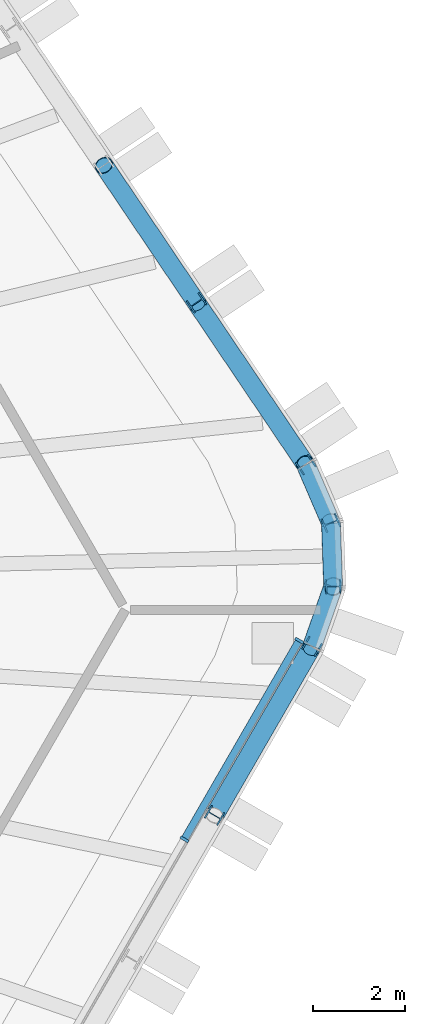
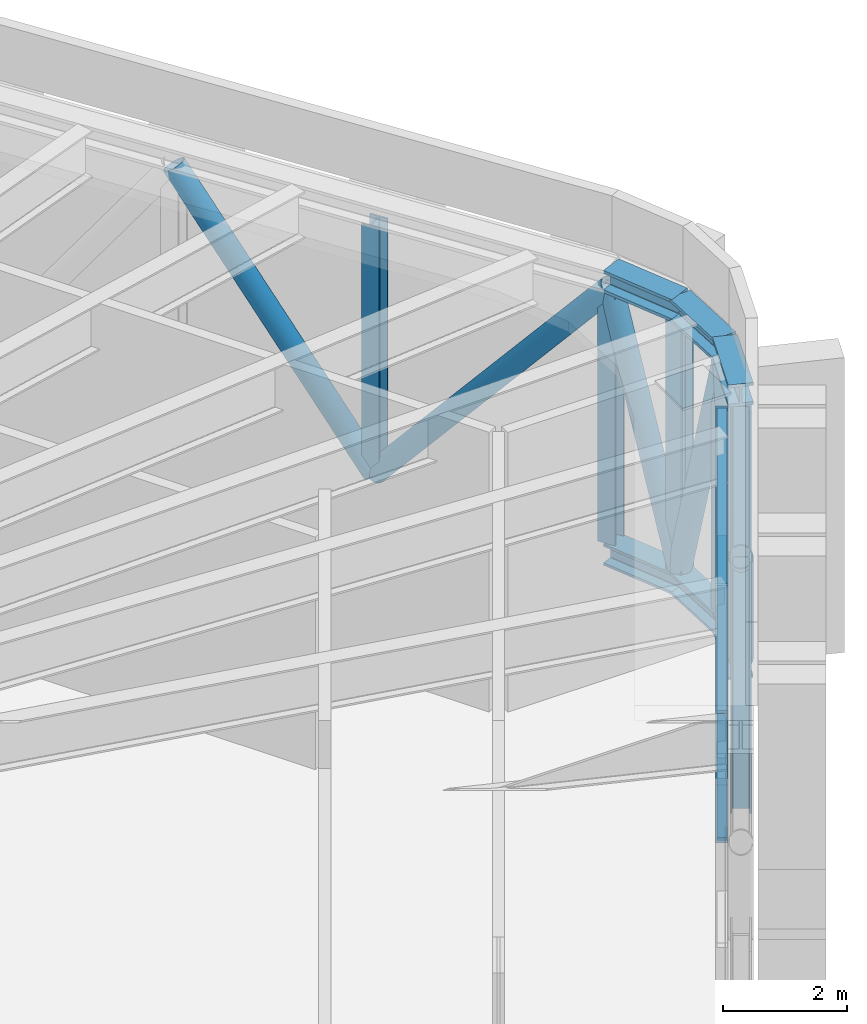
# One storey, part 11 of 27: 23 members, 1 element without a shape of its own.
"""IFC4 building model written with IfcOpenShell, lengths in metres."""

from ifc_helpers import new_model, si_unit, direction, frame, origin, origin_2d, place, context, subcontext, project, spatial, rectangle, hollow_circle, i_section, extrude, material, material_profile, profile_set, type_object, element, aggregate, save


model = new_model("IFC4")

# Units and contexts
model_context = context("Model", 3, precision=1e-05, world=origin(), true_north=direction((0.0, 1.0)))
body_context = subcontext(model_context, "Body", "Model", "MODEL_VIEW")
ifc_project = project(units=[si_unit("LENGTHUNIT", "METRE"), si_unit("AREAUNIT", "SQUARE_METRE"), si_unit("VOLUMEUNIT", "CUBIC_METRE"), si_unit("PLANEANGLEUNIT", "RADIAN"), si_unit("MASSUNIT", "GRAM", prefix="KILO")], contexts=[model_context])

# Site, building, storey
site_placement = place(None, origin())
site = spatial("IfcSite", under=ifc_project, at=site_placement, CompositionType="ELEMENT")
building_placement = place(site_placement, origin())
building = spatial("IfcBuilding", under=site, at=building_placement, Name="Tarnside Tower", CompositionType="ELEMENT")
storey_placement = place(building_placement, frame((0.0, 0.0, 146.699951171875)))
storey = spatial("IfcBuildingStorey", under=building, at=storey_placement, Name="L34", CompositionType="ELEMENT", Elevation=146.699951171875)

# Curtain wall, members
ifc_material_1 = material(Name="Sky lobby glazing wall", Category="glass")
curtain_wall_type = type_object("IfcCurtainWallType", Name="Sky lobby glazing wall", PredefinedType="NOTDEFINED", material=ifc_material_1)
curtain_wall_placement = place(storey_placement, origin())
curtain_wall = element("IfcCurtainWall", 1, at=curtain_wall_placement, inside=storey, type_object=curtain_wall_type, Name="Sky lobby glazing L34 F5", PredefinedType="NOTDEFINED")
ifc_material_2 = material(Name="Aluminium alloy 6063", Category="aluminium")
ifc_material_profile_1 = material_profile(ifc_material_2, rectangle(XDim=0.199951171875, YDim=0.06005859375, at=origin_2d()), Name="Sky lobby glazing mullion 60 x 200")
ifc_profile_set_1 = profile_set([ifc_material_profile_1], Name="Aluminium alloy 6063")
member_type_1 = type_object("IfcMemberType", Name="Sky lobby glazing mullion 60 x 200", PredefinedType="MULLION", material=ifc_profile_set_1)
member_1_placement = place(storey_placement, frame((31.094970703125, -4.97998046875, 0.0), z_axis=(0.0, 0.0, 1.0), x_axis=(-0.866025403793, 0.499999999985, 0.0)))
member_1 = element("IfcMember", 2, at=member_1_placement, type_object=member_type_1, Name="CW4 mullion 6", PredefinedType="MULLION", context=body_context, shape_type="SweptSolid", body=[
    extrude(rectangle(XDim=0.199951171875, YDim=0.06005859375, at=origin_2d()), origin(), (0.0, 0.0, 1.0), 5.0634765625),
])
member_2_placement = place(storey_placement, frame((33.5859375, -0.66552734375, 0.0), z_axis=(0.0, 0.0, 1.0), x_axis=(-0.866025403793, 0.499999999985, 0.0)))
member_2 = element("IfcMember", 3, at=member_2_placement, type_object=member_type_1, Name="CW4 mullion 7", PredefinedType="MULLION", context=body_context, shape_type="SweptSolid", body=[
    extrude(rectangle(XDim=0.199951171875, YDim=0.06005859375, at=origin_2d()), origin(), (0.0, 0.0, 1.0), 5.0634765625),
])
ifc_material_profile_2 = material_profile(ifc_material_2, rectangle(XDim=0.159912109375, YDim=0.06005859375, at=origin_2d()), Name="Sky lobby glazing transom 60 x 160")
ifc_profile_set_2 = profile_set([ifc_material_profile_2], Name="Aluminium alloy 6063")
member_type_2 = type_object("IfcMemberType", Name="Sky lobby glazing transom 60 x 160", PredefinedType="USERDEFINED", material=ifc_profile_set_2)
member_3_placement = place(storey_placement, frame((31.10986328125, -4.953857421875, 0.030029296875), z_axis=(0.500001549491, 0.866024509183, 0.0), x_axis=(-0.866024509183, 0.500001549491, 0.0)))
member_3 = element("IfcMember", 4, at=member_3_placement, type_object=member_type_2, Name="CW4 transom 6.1", ObjectType="TRANSOM", PredefinedType="USERDEFINED", context=body_context, shape_type="SweptSolid", body=[
    extrude(rectangle(XDim=0.159912109375, YDim=0.06005859375, at=origin_2d()), origin(), (0.0, 0.0, 1.0), 4.921875),
])
member_4_placement = place(storey_placement, frame((31.10986328125, -4.953857421875, 2.53173828125), z_axis=(0.500001549491, 0.866024509183, 0.0), x_axis=(-0.866024509183, 0.500001549491, 0.0)))
member_4 = element("IfcMember", 5, at=member_4_placement, type_object=member_type_2, Name="CW4 transom 6.2", ObjectType="TRANSOM", PredefinedType="USERDEFINED", context=body_context, shape_type="SweptSolid", body=[
    extrude(rectangle(XDim=0.159912109375, YDim=0.06005859375, at=origin_2d()), origin(), (0.0, 0.0, 1.0), 4.921875),
])
member_5_placement = place(storey_placement, frame((31.10986328125, -4.953857421875, 5.033447265625), z_axis=(0.500001549491, 0.866024509183, 0.0), x_axis=(-0.866024509183, 0.500001549491, 0.0)))
member_5 = element("IfcMember", 6, at=member_5_placement, type_object=member_type_2, Name="CW4 transom 6.3", ObjectType="TRANSOM", PredefinedType="USERDEFINED", context=body_context, shape_type="SweptSolid", body=[
    extrude(rectangle(XDim=0.159912109375, YDim=0.06005859375, at=origin_2d()), origin(), (0.0, 0.0, 1.0), 4.921875),
])
aggregate(curtain_wall, [member_1, member_2, member_3, member_4, member_5])

# Members
ifc_material_3 = material(Name="Steel S355", Category="steel")
ifc_material_profile_3 = material_profile(ifc_material_3, i_section(OverallWidth=0.406982421875, OverallDepth=0.4189453125, WebThickness=0.030517578125, FlangeThickness=0.04931640625, FilletRadius=0.01513671875, at=origin_2d()), Name="UC 356x406x393")
ifc_profile_set_3 = profile_set([ifc_material_profile_3], Name="Steel S355")
member_type_3 = type_object("IfcMemberType", Name="Truss chord UC 356x406x393", PredefinedType="CHORD", material=ifc_profile_set_3)
member_6_placement = place(storey_placement, frame((33.865966796875, -0.79248046875, -0.09033203125), z_axis=(0.331060058364, 0.943609685069, 0.0), x_axis=(-0.943609685069, 0.331060058364, 0.0)))
element("IfcMember", 7, at=member_6_placement, inside=storey, type_object=member_type_3, Name="Belt truss bottom chord L34 corner5.1", PredefinedType="CHORD", context=body_context, shape_type="SweptSolid", body=[
    extrude(i_section(OverallWidth=0.406982421875, OverallDepth=0.4189453125, WebThickness=0.030517578125, FlangeThickness=0.04931640625, FilletRadius=0.01513671875, at=origin_2d()), origin(), (0.0, 0.0, 1.0), 1.379150390625),
])
member_7_placement = place(storey_placement, frame((34.322509765625, 0.5087890625, -0.09033203125), z_axis=(-0.034883080409, 0.999391400154, 0.0), x_axis=(-0.999391400154, -0.034883080409, 0.0)))
element("IfcMember", 8, at=member_7_placement, inside=storey, type_object=member_type_3, Name="Belt truss bottom chord L34 corner5.2", PredefinedType="CHORD", context=body_context, shape_type="SweptSolid", body=[
    extrude(i_section(OverallWidth=0.406982421875, OverallDepth=0.4189453125, WebThickness=0.030517578125, FlangeThickness=0.04931640625, FilletRadius=0.01513671875, at=origin_2d()), origin(), (0.0, 0.0, 1.0), 1.378662109375),
])
member_8_placement = place(storey_placement, frame((34.2744140625, 1.88671875, -0.09033203125), z_axis=(-0.396161342798, 0.918180913803, 0.0), x_axis=(-0.918180913803, -0.396161342798, 0.0)))
element("IfcMember", 9, at=member_8_placement, inside=storey, type_object=member_type_3, Name="Belt truss bottom chord L34 corner5.3", PredefinedType="CHORD", context=body_context, shape_type="SweptSolid", body=[
    extrude(i_section(OverallWidth=0.406982421875, OverallDepth=0.4189453125, WebThickness=0.030517578125, FlangeThickness=0.04931640625, FilletRadius=0.01513671875, at=origin_2d()), origin(), (0.0, 0.0, 1.0), 1.379150390625),
])
ifc_material_4 = material(Name="Steel S460", Category="steel")
ifc_material_profile_4 = material_profile(ifc_material_4, i_section(OverallWidth=0.412109375, OverallDepth=0.4365234375, WebThickness=0.035888671875, FlangeThickness=0.05810546875, FilletRadius=0.01513671875, at=origin_2d()), Name="UC 356x406x467")
ifc_profile_set_4 = profile_set([ifc_material_profile_4], Name="Steel S460")
member_type_4 = type_object("IfcMemberType", Name="Truss chord UC 356x406x467", PredefinedType="CHORD", material=ifc_profile_set_4)
member_9_placement = place(storey_placement, frame((33.865966796875, -0.79248046875, 5.28173828125), z_axis=(0.331060058364, 0.943609685069, 0.0), x_axis=(-0.943609685069, 0.331060058364, 0.0)))
element("IfcMember", 10, at=member_9_placement, inside=storey, type_object=member_type_4, Name="Belt truss top chord L34 corner5.1", PredefinedType="CHORD", context=body_context, shape_type="SweptSolid", body=[
    extrude(i_section(OverallWidth=0.412109375, OverallDepth=0.4365234375, WebThickness=0.035888671875, FlangeThickness=0.05810546875, FilletRadius=0.01513671875, at=origin_2d()), origin(), (0.0, 0.0, 1.0), 1.379150390625),
])
member_10_placement = place(storey_placement, frame((34.322509765625, 0.5087890625, 5.28173828125), z_axis=(-0.034883080409, 0.999391400154, 0.0), x_axis=(-0.999391400154, -0.034883080409, 0.0)))
element("IfcMember", 11, at=member_10_placement, inside=storey, type_object=member_type_4, Name="Belt truss top chord L34 corner5.2", PredefinedType="CHORD", context=body_context, shape_type="SweptSolid", body=[
    extrude(i_section(OverallWidth=0.412109375, OverallDepth=0.4365234375, WebThickness=0.035888671875, FlangeThickness=0.05810546875, FilletRadius=0.01513671875, at=origin_2d()), origin(), (0.0, 0.0, 1.0), 1.378662109375),
])
member_11_placement = place(storey_placement, frame((34.2744140625, 1.88671875, 5.28173828125), z_axis=(-0.396161342798, 0.918180913803, 0.0), x_axis=(-0.918180913803, -0.396161342798, 0.0)))
element("IfcMember", 12, at=member_11_placement, inside=storey, type_object=member_type_4, Name="Belt truss top chord L34 corner5.3", PredefinedType="CHORD", context=body_context, shape_type="SweptSolid", body=[
    extrude(i_section(OverallWidth=0.412109375, OverallDepth=0.4365234375, WebThickness=0.035888671875, FlangeThickness=0.05810546875, FilletRadius=0.01513671875, at=origin_2d()), origin(), (0.0, 0.0, 1.0), 1.379150390625),
])
ifc_material_profile_5 = material_profile(ifc_material_3, hollow_circle(Radius=0.203125, WallThickness=0.01611328125, at=origin_2d()), Name="CHS 406.4x16")
ifc_profile_set_5 = profile_set([ifc_material_profile_5], Name="Steel S355")
member_type_5 = type_object("IfcMemberType", Name="Truss diagonal CHS 406.4x16", PredefinedType="BRACE", material=ifc_profile_set_5)
member_12_placement = place(storey_placement, frame((31.748046875, -4.460693359375, 5.0634765625), z_axis=(0.325303661365, 0.563422191587, -0.759429365991), x_axis=(-0.866017611601, 0.500013496215, 0.0)))
element("IfcMember", 13, at=member_12_placement, inside=storey, type_object=member_type_5, Name="Belt truss diagonal L34 52", PredefinedType="BRACE", context=body_context, shape_type="SweptSolid", body=[
    extrude(hollow_circle(Radius=0.203125, WallThickness=0.01611328125, at=origin_2d()), origin(), (0.0, 0.0, 1.0), 6.510498046875),
])
for number, where, z_axis, x_axis, name in (
    (14, (33.865966796875, -0.79248046875, 0.119140625), (0.088941868923, 0.253508107679, 0.963235684188), (-0.943609685069, 0.331060058364, 0.0), "Belt truss diagonal L34 53"),
    (15, (34.322509765625, 0.5087890625, 5.0634765625), (-0.009369941743, 0.268446452776, -0.96324903643), (-0.999391400154, -0.034883080409, 0.0), "Belt truss diagonal L34 54"),
    (16, (34.2744140625, 1.88671875, 0.119140625), (-0.10644392706, 0.246704490465, 0.963227171947), (-0.918180913803, -0.396161342798, 0.0), "Belt truss diagonal L34 55"),
):
    element("IfcMember", number, at=place(storey_placement, frame(where, z_axis=z_axis, x_axis=x_axis)), inside=storey, type_object=member_type_5, Name=name, PredefinedType="BRACE", context=body_context, shape_type="SweptSolid", body=[
        extrude(hollow_circle(Radius=0.203125, WallThickness=0.01611328125, at=origin_2d()), origin(), (0.0, 0.0, 1.0), 5.133056640625),
    ])
member_13_placement = place(storey_placement, frame((33.72802734375, 3.153076171875, 5.0634765625), z_axis=(-0.363791664842, 0.539331174492, -0.759458694606), x_axis=(-0.829031733213, -0.559201560555, 0.0)))
element("IfcMember", 17, at=member_13_placement, inside=storey, type_object=member_type_5, Name="Belt truss diagonal L34 56", PredefinedType="BRACE", context=body_context, shape_type="SweptSolid", body=[
    extrude(hollow_circle(Radius=0.203125, WallThickness=0.01611328125, at=origin_2d()), origin(), (0.0, 0.0, 1.0), 6.51025390625),
])
member_14_placement = place(storey_placement, frame((31.359619140625, 6.664306640625, 0.119140625), z_axis=(-0.329122925964, 0.487996090953, 0.808416918935), x_axis=(-0.829064817611, -0.559152508892, 0.0)))
element("IfcMember", 18, at=member_14_placement, inside=storey, type_object=member_type_5, Name="Belt truss diagonal L34 57", PredefinedType="BRACE", context=body_context, shape_type="SweptSolid", body=[
    extrude(hollow_circle(Radius=0.203125, WallThickness=0.01611328125, at=origin_2d()), origin(), (0.0, 0.0, 1.0), 6.115966796875),
])
ifc_material_profile_6 = material_profile(ifc_material_3, i_section(OverallWidth=0.314453125, OverallDepth=0.33984375, WebThickness=0.01904296875, FlangeThickness=0.031494140625, FilletRadius=0.01513671875, at=origin_2d()), Name="UC 305x305x198")
ifc_profile_set_6 = profile_set([ifc_material_profile_6], Name="Steel S355")
member_type_6 = type_object("IfcMemberType", Name="Truss post UC 305x305x198", PredefinedType="POST", material=ifc_profile_set_6)
for number, where, z_axis, x_axis, name in (
    (19, (31.748046875, -4.460693359375, 0.119140625), (0.0, 0.0, 1.0), (0.5, 0.866025403784, 0.0), "Belt truss post L34 52"),
    (20, (33.865966796875, -0.79248046875, 0.119140625), (0.0, 0.0, 1.0), (0.5, 0.866025403784, 0.0), "Belt truss post L34 53"),
    (21, (34.322509765625, 0.5087890625, 0.119140625), (0.0, 0.0, 1.0), (-0.034899496703, 0.999390827019, 0.0), "Belt truss post L34 54"),
    (22, (34.2744140625, 1.88671875, 0.119140625), (0.0, 0.0, 1.0), (-0.396079766034, 0.918216106883, 0.0), "Belt truss post L34 55"),
    (23, (33.72802734375, 3.153076171875, 0.119140625), (0.0, 0.0, 1.0), (-0.559192903471, 0.829037572555, 0.0), "Belt truss post L34 56"),
    (24, (31.359619140625, 6.664306640625, 0.119140625), (0.0, 0.0, 1.0), (-0.559192903471, 0.829037572555, 0.0), "Belt truss post L34 57"),
):
    element("IfcMember", number, at=place(storey_placement, frame(where, z_axis=z_axis, x_axis=x_axis)), inside=storey, type_object=member_type_6, Name=name, PredefinedType="POST", context=body_context, shape_type="SweptSolid", body=[
        extrude(i_section(OverallWidth=0.314453125, OverallDepth=0.33984375, WebThickness=0.01904296875, FlangeThickness=0.031494140625, FilletRadius=0.01513671875, at=origin_2d()), origin(), (0.0, 0.0, 1.0), 4.9443359375),
    ])

save(model, "model.ifc")
